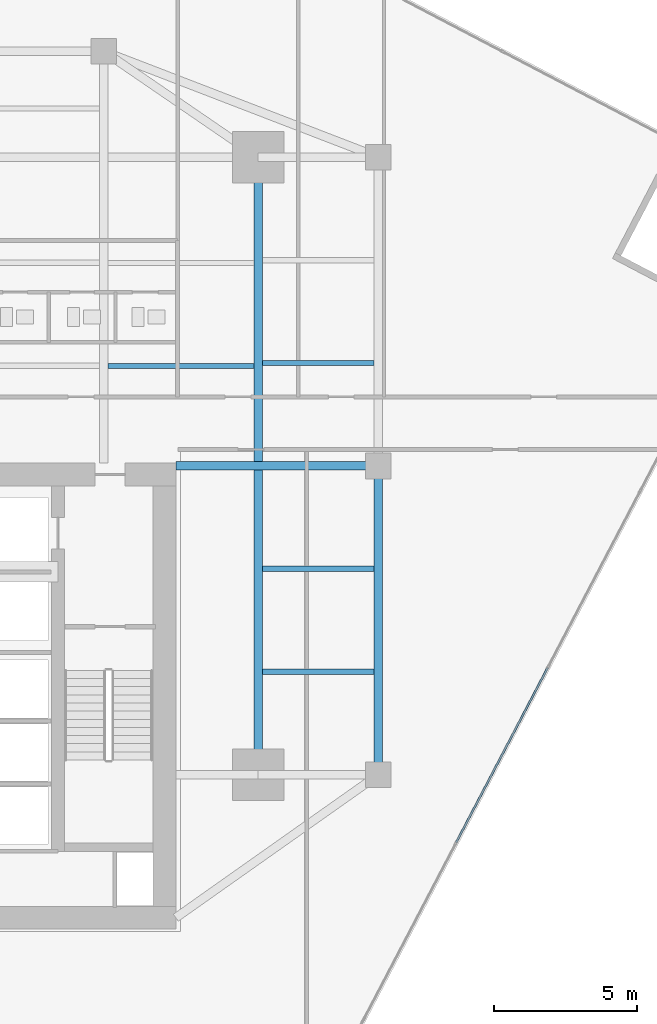
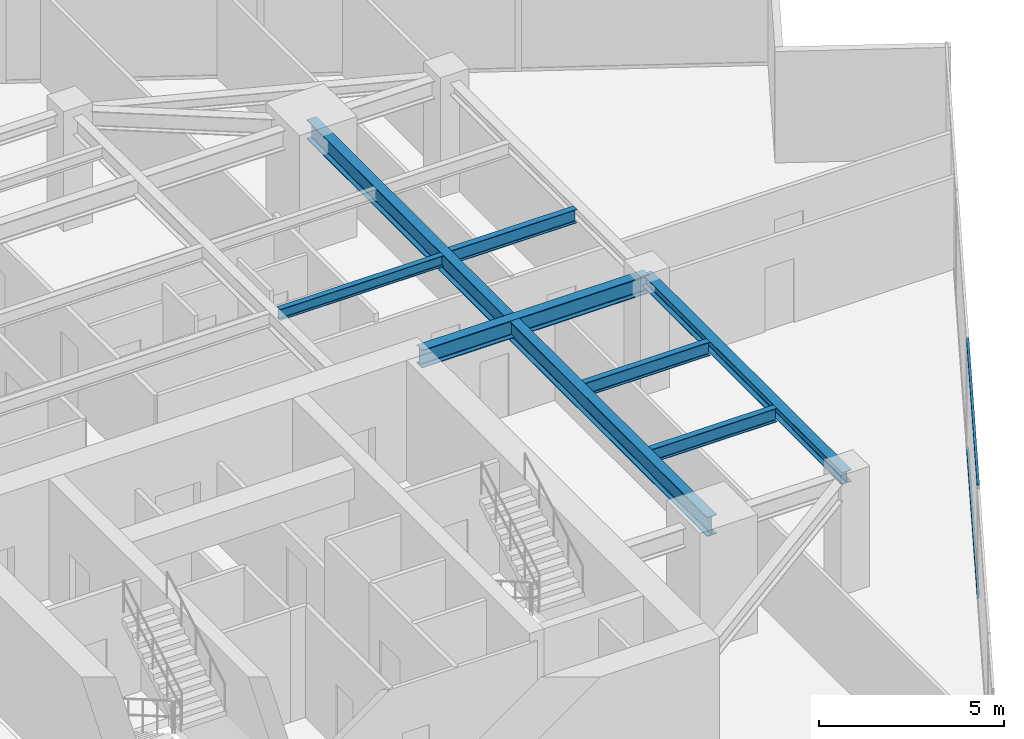
# One storey, part 11 of 27: 7 beams, 2 members, 1 element without a shape of its own.
"""IFC4 building model written with IfcOpenShell, lengths in metres."""

import ifcopenshell
import ifcopenshell.guid

model = None  # the IFC model being written
_history = None  # IfcOwnerHistory: only IFC2X3 demands one
_inside = {}  # id of a spatial element -> (the spatial element, [elements in it])
_under = {}  # id of a project, library or spatial element -> (it, [spatial elements below it])
_declared = {}  # id of a project -> (the project, [libraries it declares])
_typed = {}  # id of a type object -> (the type object, [elements of that type])
_made_of = {}  # id of a material, layer set ... -> (it, [elements and type objects made of it])


def new_model(schema):
    """Start an empty IFC model of exactly this schema.

    Asked for "IFC4X3", IfcOpenShell would pick the latest addendum, in which some entities
    have other attributes; the version numbers below select the first issue.
    IFC2X3 requires an IfcOwnerHistory on every rooted entity: one is made here for all.
    """
    global model, _history
    if schema == "IFC4X3":
        model = ifcopenshell.file(schema_version=(4, 3, 0, 0))
    else:
        model = ifcopenshell.file(schema=schema)
    _inside.clear()
    _under.clear()
    _declared.clear()
    _typed.clear()
    _made_of.clear()
    _history = None
    if model.schema == "IFC2X3":
        org = make("IfcOrganization", Name="unknown")
        user = make(
            "IfcPersonAndOrganization",
            ThePerson=make("IfcPerson", FamilyName="unknown"),
            TheOrganization=org,
        )
        app = make(
            "IfcApplication",
            ApplicationDeveloper=org,
            Version="unknown",
            ApplicationFullName="unknown",
            ApplicationIdentifier="unknown",
        )
        _history = make(
            "IfcOwnerHistory",
            OwningUser=user,
            OwningApplication=app,
            ChangeAction="ADDED",
            CreationDate=0,
        )
    return model


def make(cls, **values):
    """One entity of the class cls with the attributes given. An attribute that is None is left unset."""
    return model.create_entity(
        cls, **{name: value for name, value in values.items() if value is not None}
    )


def rooted(cls, **values):
    """An entity with a GlobalId (a new one), such as an element, a storey or a relation."""
    return make(cls, GlobalId=ifcopenshell.guid.new(), OwnerHistory=_history, **values)


def si_unit(unit_type, name, prefix=None):
    """IfcSIUnit, for example si_unit("LENGTHUNIT", "METRE", prefix="MILLI")."""
    return make("IfcSIUnit", UnitType=unit_type, Prefix=prefix, Name=name)


def assignment(units):
    """IfcUnitAssignment: the units of a project."""
    return None if units is None else make("IfcUnitAssignment", Units=units)


def point(xyz):
    """IfcCartesianPoint."""
    return None if xyz is None else make("IfcCartesianPoint", Coordinates=xyz)


def direction(xyz):
    """IfcDirection."""
    return None if xyz is None else make("IfcDirection", DirectionRatios=xyz)


def frame(location, z_axis=None, x_axis=None):
    """IfcAxis2Placement3D, a coordinate frame: its origin and axes. An axis left out is left unset."""
    return make(
        "IfcAxis2Placement3D",
        Location=point(location),
        Axis=direction(z_axis),
        RefDirection=direction(x_axis),
    )


def frame_2d(location, x_axis=None):
    """IfcAxis2Placement2D, a coordinate frame in the plane: its origin and x axis."""
    return make(
        "IfcAxis2Placement2D", Location=point(location), RefDirection=direction(x_axis)
    )


def origin():
    """The frame at (0, 0, 0) with its axes left unset."""
    return frame((0.0, 0.0, 0.0))


def origin_2d():
    """The frame at (0, 0) in the plane with its x axis left unset."""
    return frame_2d((0.0, 0.0))


def place(relative_to, where):
    """IfcLocalPlacement: puts the frame where relative to a parent placement (None: the world)."""
    return make(
        "IfcLocalPlacement", PlacementRelTo=relative_to, RelativePlacement=where
    )


def context(
    kind, dimensions, precision=None, world=None, true_north=None, identifier=None
):
    """IfcGeometricRepresentationContext, for example the 3D "Model" context."""
    return make(
        "IfcGeometricRepresentationContext",
        ContextIdentifier=identifier,
        ContextType=kind,
        CoordinateSpaceDimension=dimensions,
        Precision=precision,
        WorldCoordinateSystem=world,
        TrueNorth=true_north,
    )


def subcontext(parent, identifier, kind, view, scale=None):
    """IfcGeometricRepresentationSubContext, for example "Body" below "Model"."""
    return make(
        "IfcGeometricRepresentationSubContext",
        ContextIdentifier=identifier,
        ContextType=kind,
        ParentContext=parent,
        TargetScale=scale,
        TargetView=view,
    )


def project(units=None, contexts=None):
    """IfcProject with its units and contexts."""
    return rooted(
        "IfcProject",
        Name="project",
        RepresentationContexts=contexts,
        UnitsInContext=assignment(units),
    )


def spatial(cls, under=None, at=None, **own):
    """A site, building, storey or space (cls), placed at a placement, below another one or the project."""
    s = rooted(cls, ObjectPlacement=at, **own)
    if under is not None:
        _under.setdefault(under.id(), (under, []))[1].append(s)
    return s


def profile(cls, at=None, kind="AREA", **sizes):
    """A parametric profile (cls). Its sizes go by their IFC names, for example OverallWidth=200.0."""
    return make(cls, ProfileType=kind, Position=at, **sizes)


def hollow_rectangle(**sizes):
    """IfcRectangleHollowProfileDef."""
    return profile("IfcRectangleHollowProfileDef", **sizes)


def i_section(**sizes):
    """IfcIShapeProfileDef."""
    return profile("IfcIShapeProfileDef", **sizes)


def extrude(swept, where, along, depth):
    """IfcExtrudedAreaSolid: the profile swept, set in the frame where, extruded along a direction by depth."""
    return make(
        "IfcExtrudedAreaSolid",
        SweptArea=swept,
        Position=where,
        ExtrudedDirection=direction(along),
        Depth=depth,
    )


def shape(context_of_items, identifier, shape_type, items):
    """IfcShapeRepresentation: the items that make up one representation, for example the "Body"."""
    return make(
        "IfcShapeRepresentation",
        ContextOfItems=context_of_items,
        RepresentationIdentifier=identifier,
        RepresentationType=shape_type,
        Items=items,
    )


def source(mapping_origin, context_of_items, identifier, shape_type, items):
    """IfcRepresentationMap: a shape defined once, which mapped items show again and again."""
    return make(
        "IfcRepresentationMap",
        MappingOrigin=mapping_origin,
        MappedRepresentation=shape(context_of_items, identifier, shape_type, items),
    )


def transform(
    local_origin,
    x_axis=None,
    y_axis=None,
    z_axis=None,
    scale=None,
    scale2=None,
    scale3=None,
    uniform=True,
):
    """IfcCartesianTransformationOperator3D, or its non-uniform kind. x_axis, y_axis, z_axis: its Axis1, 2, 3."""
    if uniform:
        return make(
            "IfcCartesianTransformationOperator3D",
            Axis1=direction(x_axis),
            Axis2=direction(y_axis),
            LocalOrigin=point(local_origin),
            Scale=scale,
            Axis3=direction(z_axis),
        )
    return make(
        "IfcCartesianTransformationOperator3DnonUniform",
        Axis1=direction(x_axis),
        Axis2=direction(y_axis),
        LocalOrigin=point(local_origin),
        Scale=scale,
        Axis3=direction(z_axis),
        Scale2=scale2,
        Scale3=scale3,
    )


def mapped(mapping_source, mapping_target):
    """IfcMappedItem: shows the shape of a source again, moved by a transform."""
    return make(
        "IfcMappedItem", MappingSource=mapping_source, MappingTarget=mapping_target
    )


def material(Name=None, Category=None):
    """IfcMaterial."""
    return make("IfcMaterial", Name=Name, Category=Category)


def material_profile(
    of_material, cross_section, Name=None, Category=None, Priority=None
):
    """IfcMaterialProfile: a cross section and its material."""
    return make(
        "IfcMaterialProfile",
        Name=Name,
        Material=of_material,
        Profile=cross_section,
        Priority=Priority,
        Category=Category,
    )


def profile_set(profiles, Name=None, composite=None):
    """IfcMaterialProfileSet."""
    return make(
        "IfcMaterialProfileSet",
        Name=Name,
        MaterialProfiles=profiles,
        CompositeProfile=composite,
    )


def made_of(thing, what):
    """Note that an element or type object is made of a material, layer set ...; save() writes the relation."""
    if what is not None:
        _made_of.setdefault(what.id(), (what, []))[1].append(thing)
    return thing


def type_object(cls, material=None, **own):
    """A type object (cls), such as IfcWallType, which elements share."""
    return made_of(rooted(cls, **own), material)


def type_shapes(of_type, sources):
    """Give a type object the sources (RepresentationMaps) that its elements show as mapped items."""
    of_type.RepresentationMaps = sources


def element(
    cls,
    number,
    at=None,
    inside=None,
    cuts=None,
    type_object=None,
    material=None,
    context=None,
    identifier="Body",
    shape_type=None,
    held_by="IfcProductDefinitionShape",
    body=None,
    shapes=None,
    **own,
):
    """One element of the class cls, such as IfcWall. Its Tag is "e" and its number.

    at: its placement. inside: the storey or other place that contains it. cuts: it is an
    opening in that element (IfcRelVoidsElement). A single representation is given by context,
    identifier, shape_type and body (its items); several are given by shapes. held_by: the class
    of the entity that holds the representations. save() writes the other relations.
    """
    e = rooted(cls, Tag="e%d" % number, ObjectPlacement=at, **own)
    if body is not None:
        shapes = [shape(context, identifier, shape_type, body)]
    if shapes is not None:
        e.Representation = make(held_by, Representations=shapes)
    if inside is not None:
        _inside.setdefault(inside.id(), (inside, []))[1].append(e)
    if cuts is not None:
        rooted(
            "IfcRelVoidsElement", RelatingBuildingElement=cuts, RelatedOpeningElement=e
        )
    if type_object is not None:
        _typed.setdefault(type_object.id(), (type_object, []))[1].append(e)
    return made_of(e, material)


def aggregate(whole, parts):
    """IfcRelAggregates: a whole, such as a stair, and the parts it consists of."""
    return rooted("IfcRelAggregates", RelatingObject=whole, RelatedObjects=parts)


def save(model, path):
    """Write the relations noted so far, then the file.

    IfcRelAggregates (storeys below a building ...), IfcRelContainedInSpatialStructure (elements
    in a storey), IfcRelDefinesByType, IfcRelAssociatesMaterial and IfcRelDeclares: one each for
    every whole, place, type object, material and project.
    """
    for whole, parts in _under.values():
        aggregate(whole, parts)
    for where, things in _inside.values():
        rooted(
            "IfcRelContainedInSpatialStructure",
            RelatedElements=things,
            RelatingStructure=where,
        )
    for kind, things in _typed.values():
        rooted("IfcRelDefinesByType", RelatedObjects=things, RelatingType=kind)
    for what, things in _made_of.values():
        rooted("IfcRelAssociatesMaterial", RelatedObjects=things, RelatingMaterial=what)
    for by, libraries in _declared.values():
        rooted("IfcRelDeclares", RelatingContext=by, RelatedDefinitions=libraries)
    model.write(path)


model = new_model("IFC4")

# Units and contexts
model_context = context("Model", 3, precision=1e-05, world=origin(), true_north=direction((0.0, 1.0)))
body_context = subcontext(model_context, "Body", "Model", "MODEL_VIEW")
ifc_project = project(units=[si_unit("LENGTHUNIT", "METRE"), si_unit("AREAUNIT", "SQUARE_METRE"), si_unit("VOLUMEUNIT", "CUBIC_METRE"), si_unit("PLANEANGLEUNIT", "RADIAN"), si_unit("MASSUNIT", "GRAM", prefix="KILO")], contexts=[model_context])

# Site, building, storey
site_placement = place(None, origin())
site = spatial("IfcSite", under=ifc_project, at=site_placement, CompositionType="ELEMENT")
building_placement = place(site_placement, origin())
building = spatial("IfcBuilding", under=site, at=building_placement, Name="Krantzveldt Concourse Tower", CompositionType="ELEMENT")
storey_placement = place(building_placement, frame((0.0, 0.0, 150.14990234375)))
storey = spatial("IfcBuildingStorey", under=building, at=storey_placement, Name="L36", CompositionType="ELEMENT", Elevation=150.14990234375)

# Beams
ifc_material_1 = material(Name="Steel S355JR", Category="steel")
ifc_material_profile_1 = material_profile(ifc_material_1, i_section(OverallWidth=0.300048828125, OverallDepth=0.639892578125, WebThickness=0.013427734375, FlangeThickness=0.02587890625, FilletRadius=0.027099609375, at=origin_2d()), Name="Steel S355JR", Category="steel")
ifc_profile_set_1 = profile_set([ifc_material_profile_1], Name="Steel S355JR - HEA 650")
beam_type_1 = type_object("IfcBeamType", Name="BM-B-HEA650", PredefinedType="BEAM", material=ifc_profile_set_1)
shared_shape_1 = source(origin(), body_context, "Body", "SweptSolid", [
    extrude(i_section(OverallWidth=0.300048828125, OverallDepth=0.639892578125, WebThickness=0.013427734375, FlangeThickness=0.02587890625, FilletRadius=0.027099609375, at=origin_2d()), origin(), (0.0, 0.0, 1.0), 21.60009765625),
])
type_shapes(beam_type_1, [shared_shape_1])
beam_1_placement = place(storey_placement, frame((46.800048828125, 15.89990234375, 3.35009765625), z_axis=(0.0, 1.0, 0.0), x_axis=(-1.0, 0.0, 0.0)))
element("IfcBeam", 1, at=beam_1_placement, inside=storey, type_object=beam_type_1, Name="L36 Tower Girder BG-ME", PredefinedType="BEAM", context=body_context, shape_type="MappedRepresentation", body=[
    mapped(shared_shape_1, transform((0.0, 0.0, 0.0), x_axis=(1.0, 0.0, 0.0), y_axis=(0.0, 1.0, 0.0), z_axis=(0.0, 0.0, 1.0), scale=1.0)),
])
ifc_material_profile_2 = material_profile(ifc_material_1, i_section(OverallWidth=0.300048828125, OverallDepth=0.590087890625, WebThickness=0.012939453125, FlangeThickness=0.02490234375, FilletRadius=0.027099609375, at=origin_2d()), Name="Steel S355JR", Category="steel")
ifc_profile_set_2 = profile_set([ifc_material_profile_2], Name="Steel S355JR - HEA 600")
beam_type_2 = type_object("IfcBeamType", Name="BM-B-HEA600", PredefinedType="BEAM", material=ifc_profile_set_2)
shared_shape_2 = source(origin(), body_context, "Body", "SweptSolid", [
    extrude(i_section(OverallWidth=0.300048828125, OverallDepth=0.590087890625, WebThickness=0.012939453125, FlangeThickness=0.02490234375, FilletRadius=0.027099609375, at=origin_2d()), origin(), (0.0, 0.0, 1.0), 7.080078125),
])
type_shapes(beam_type_2, [shared_shape_2])
beam_2_placement = place(storey_placement, frame((43.919921875, 26.699951171875, 3.375), z_axis=(1.0, 0.0, 0.0), x_axis=(0.0, 1.0, 0.0)))
element("IfcBeam", 2, at=beam_2_placement, inside=storey, type_object=beam_type_2, Name="L36 Tower Girder BG-CE2", PredefinedType="BEAM", context=body_context, shape_type="MappedRepresentation", body=[
    mapped(shared_shape_2, transform((0.0, 0.0, 0.0), x_axis=(1.0, 0.0, 0.0), y_axis=(0.0, 1.0, 0.0), z_axis=(0.0, 0.0, 1.0), scale=1.0)),
])
ifc_material_profile_3 = material_profile(ifc_material_1, i_section(OverallWidth=0.300048828125, OverallDepth=0.389892578125, WebThickness=0.010986328125, FlangeThickness=0.01904296875, FilletRadius=0.027099609375, at=origin_2d()), Name="Steel S355JR", Category="steel")
ifc_profile_set_3 = profile_set([ifc_material_profile_3], Name="Steel S355JR - HEA 400")
beam_type_3 = type_object("IfcBeamType", Name="BM-SP-HEA400", PredefinedType="SPANDREL", material=ifc_profile_set_3)
shared_shape_3 = source(origin(), body_context, "Body", "SweptSolid", [
    extrude(i_section(OverallWidth=0.300048828125, OverallDepth=0.389892578125, WebThickness=0.010986328125, FlangeThickness=0.01904296875, FilletRadius=0.027099609375, at=origin_2d()), origin(), (0.0, 0.0, 1.0), 10.800048828125),
])
type_shapes(beam_type_3, [shared_shape_3])
beam_3_placement = place(storey_placement, frame((51.0, 26.699951171875, 3.47509765625), z_axis=(0.0, -1.0, 0.0), x_axis=(1.0, 0.0, 0.0)))
element("IfcBeam", 3, at=beam_3_placement, inside=storey, type_object=beam_type_3, Name="L36 Tower Girder SP-R07", PredefinedType="SPANDREL", context=body_context, shape_type="MappedRepresentation", body=[
    mapped(shared_shape_3, transform((0.0, 0.0, 0.0), x_axis=(1.0, 0.0, 0.0), y_axis=(0.0, 1.0, 0.0), z_axis=(0.0, 0.0, 1.0), scale=1.0)),
])
ifc_material_profile_4 = material_profile(ifc_material_1, i_section(OverallWidth=0.169921875, OverallDepth=0.360107421875, WebThickness=0.008056640625, FlangeThickness=0.0126953125, FilletRadius=0.01806640625, at=origin_2d()), Name="Steel S355JR", Category="steel")
ifc_profile_set_4 = profile_set([ifc_material_profile_4], Name="Steel S355JR - IPE 360")
beam_type_4 = type_object("IfcBeamType", Name="BM-J-IPE360", PredefinedType="JOIST", material=ifc_profile_set_4)
shared_shape_4 = source(origin(), body_context, "Body", "SweptSolid", [
    extrude(i_section(OverallWidth=0.169921875, OverallDepth=0.360107421875, WebThickness=0.008056640625, FlangeThickness=0.0126953125, FilletRadius=0.01806640625, at=origin_2d()), origin(), (0.0, 0.0, 1.0), 5.099853515625),
])
type_shapes(beam_type_4, [shared_shape_4])
beam_4_placement = place(storey_placement, frame((41.550048828125, 30.199951171875, 3.489990234375), z_axis=(1.0, 0.0, 0.0), x_axis=(0.0, 1.0, 0.0)))
element("IfcBeam", 4, at=beam_4_placement, inside=storey, type_object=beam_type_4, Name="L36 Secondary Floor Joist JN-E1", PredefinedType="JOIST", context=body_context, shape_type="MappedRepresentation", body=[
    mapped(shared_shape_4, transform((0.0, 0.0, 0.0), x_axis=(1.0, 0.0, 0.0), y_axis=(0.0, 1.0, 0.0), z_axis=(0.0, 0.0, 1.0), scale=1.0)),
])
ifc_material_profile_5 = material_profile(ifc_material_1, i_section(OverallWidth=0.18994140625, OverallDepth=0.449951171875, WebThickness=0.009521484375, FlangeThickness=0.0146484375, FilletRadius=0.02099609375, at=origin_2d()), Name="Steel S355JR", Category="steel")
ifc_profile_set_5 = profile_set([ifc_material_profile_5], Name="Steel S355JR - IPE 450")
beam_type_5 = type_object("IfcBeamType", Name="BM-J-IPE450", PredefinedType="JOIST", material=ifc_profile_set_5)
shared_shape_5 = source(origin(), body_context, "Body", "SweptSolid", [
    extrude(i_section(OverallWidth=0.18994140625, OverallDepth=0.449951171875, WebThickness=0.009521484375, FlangeThickness=0.0146484375, FilletRadius=0.02099609375, at=origin_2d()), origin(), (0.0, 0.0, 1.0), 3.900146484375),
])
type_shapes(beam_type_5, [shared_shape_5])
for number, where, z_axis, x_axis, name in (
    (5, (46.949951171875, 19.5, 3.445068359375), (1.0, 0.0, 0.0), (0.0, 1.0, 0.0), "L36 Secondary Floor Joist JE-1"),
    (6, (46.949951171875, 23.10009765625, 3.445068359375), (1.0, 0.0, 0.0), (0.0, 1.0, 0.0), "L36 Secondary Floor Joist JE-2"),
    (7, (46.949951171875, 30.300048828125, 3.445068359375), (1.0, 0.0, 0.0), (0.0, 1.0, 0.0), "L36 Secondary Floor Joist JE-3"),
):
    element("IfcBeam", number, at=place(storey_placement, frame(where, z_axis=z_axis, x_axis=x_axis)), inside=storey, type_object=beam_type_5, Name=name, PredefinedType="JOIST", context=body_context, shape_type="MappedRepresentation", body=[
        mapped(shared_shape_5, transform((0.0, 0.0, 0.0), x_axis=(1.0, 0.0, 0.0), y_axis=(0.0, 1.0, 0.0), z_axis=(0.0, 0.0, 1.0), scale=1.0)),
    ])

# Curtain wall, members
ifc_material_2 = material(Name="Anodised aluminium 6063-T6", Category="aluminium")
curtain_wall_type = type_object("IfcCurtainWallType", Name="CW3", PredefinedType="USERDEFINED", material=ifc_material_2)
curtain_wall_placement = place(storey_placement, origin())
curtain_wall = element("IfcCurtainWall", 8, at=curtain_wall_placement, inside=storey, type_object=curtain_wall_type, Name="CW-L36-F07", ObjectType="UNITISED CURTAIN WALL", PredefinedType="USERDEFINED")
ifc_material_profile_6 = material_profile(ifc_material_2, hollow_rectangle(XDim=0.070068359375, YDim=0.139892578125, WallThickness=0.0048828125, at=origin_2d()), Name="Anodised aluminium 6063-T6", Category="aluminium")
ifc_profile_set_6 = profile_set([ifc_material_profile_6], Name="Anodised aluminium 6063-T6 - ALU-TRAN 140x70x5")
member_type = type_object("IfcMemberType", Name="CW-TRN-150", PredefinedType="USERDEFINED", material=ifc_profile_set_6)
shared_shape_6 = source(origin(), body_context, "Body", "SweptSolid", [
    extrude(hollow_rectangle(XDim=0.070068359375, YDim=0.139892578125, WallThickness=0.0048828125, at=origin_2d()), origin(), (0.0, 0.0, 1.0), 6.889892578125),
])
type_shapes(member_type, [shared_shape_6])
member_1_placement = place(storey_placement, frame((53.726318359375, 13.534912109375, 0.03515625), z_axis=(0.46369184059, 0.885996544559, 0.0), x_axis=(-0.885996544559, 0.46369184059, 0.0)))
member_1 = element("IfcMember", 9, at=member_1_placement, type_object=member_type, Name="CW-Z34 transom 3.1", ObjectType="TRANSOM", PredefinedType="USERDEFINED", context=body_context, shape_type="MappedRepresentation", body=[
    mapped(shared_shape_6, transform((0.0, 0.0, 0.0), x_axis=(1.0, 0.0, 0.0), y_axis=(0.0, 1.0, 0.0), z_axis=(0.0, 0.0, 1.0), scale=1.0)),
])
member_2_placement = place(storey_placement, frame((53.726318359375, 13.534912109375, 3.635009765625), z_axis=(0.46369184059, 0.885996544559, 0.0), x_axis=(-0.885996544559, 0.46369184059, 0.0)))
member_2 = element("IfcMember", 10, at=member_2_placement, type_object=member_type, Name="CW-Z34 transom 3.2", ObjectType="TRANSOM", PredefinedType="USERDEFINED", context=body_context, shape_type="MappedRepresentation", body=[
    mapped(shared_shape_6, transform((0.0, 0.0, 0.0), x_axis=(1.0, 0.0, 0.0), y_axis=(0.0, 1.0, 0.0), z_axis=(0.0, 0.0, 1.0), scale=1.0)),
])
aggregate(curtain_wall, [member_1, member_2])

save(model, "model.ifc")
